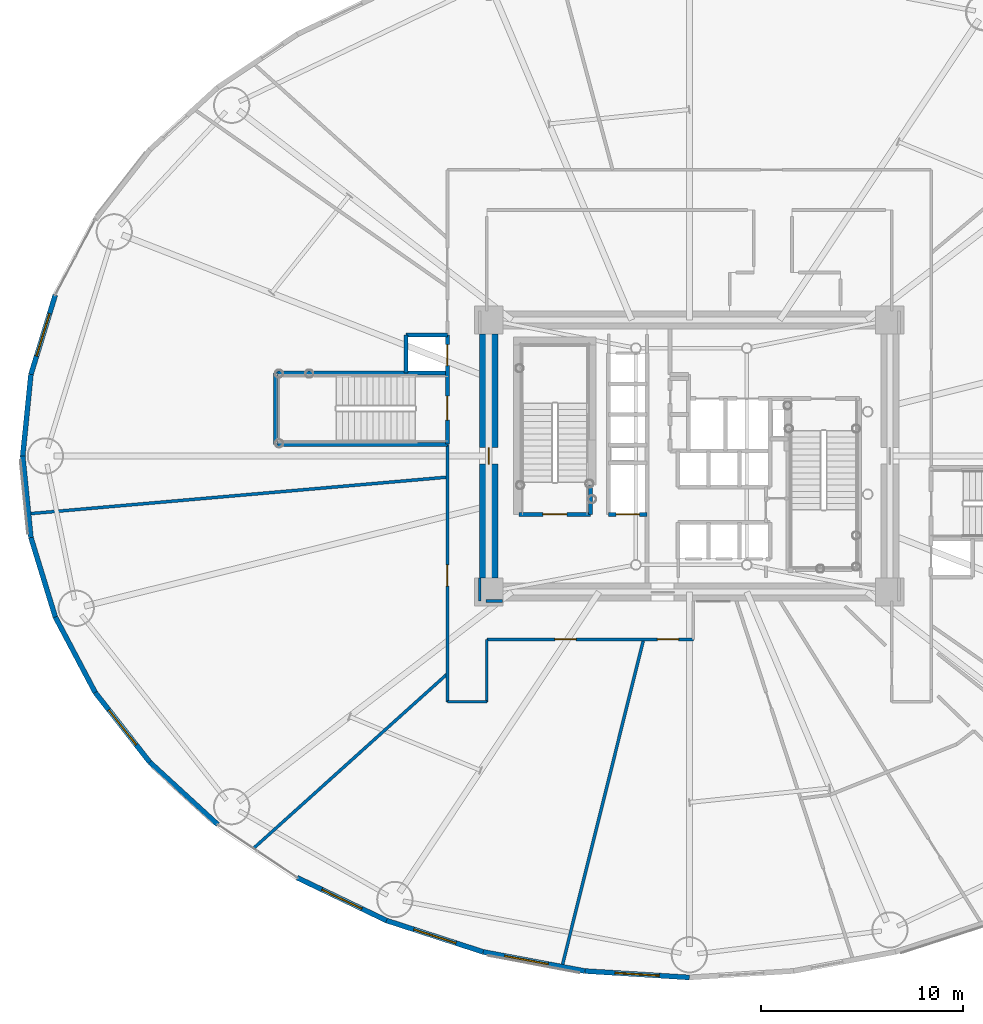
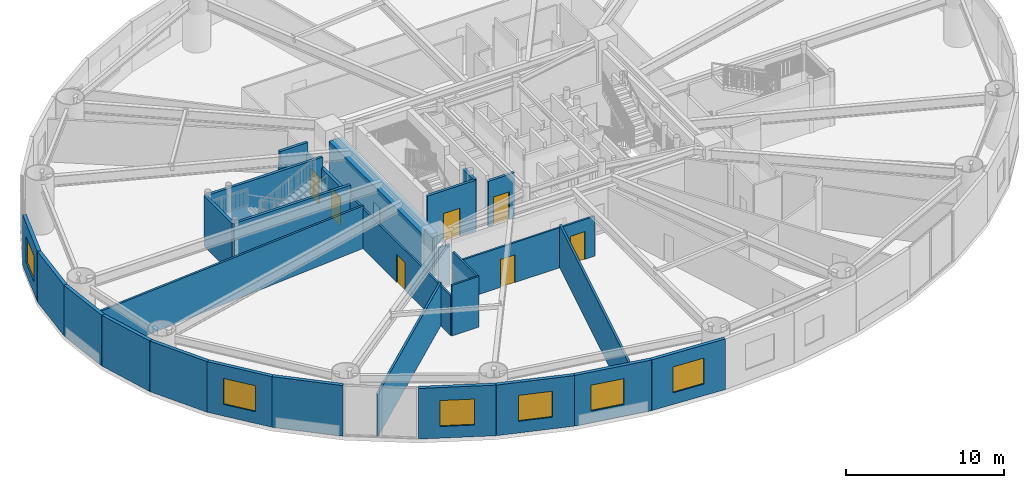
# One storey, part 15 of 30: 30 walls, 8 doors, 6 windows, 14 openings.
"""IFC4 building model written with IfcOpenShell, lengths in metres."""

from ifc_helpers import new_model, si_unit, direction, frame, frame_2d, origin, origin_2d, place, context, subcontext, project, spatial, rectangle, extrude, source, transform, mapped, material, layer, layer_set, type_object, element, fill, save


model = new_model("IFC4")

# Units and contexts
model_context = context("Model", 3, precision=1e-05, world=origin(), true_north=direction((0.0, 1.0)))
body_context = subcontext(model_context, "Body", "Model", "MODEL_VIEW")
ifc_project = project(units=[si_unit("LENGTHUNIT", "METRE"), si_unit("AREAUNIT", "SQUARE_METRE"), si_unit("VOLUMEUNIT", "CUBIC_METRE"), si_unit("PLANEANGLEUNIT", "RADIAN"), si_unit("MASSUNIT", "GRAM", prefix="KILO")], contexts=[model_context])

# Site, building, storey
site_placement = place(None, origin())
site = spatial("IfcSite", under=ifc_project, at=site_placement, CompositionType="ELEMENT")
building_placement = place(site_placement, origin())
building = spatial("IfcBuilding", under=site, at=building_placement, Name="Linh Dai School and Residence Tower", CompositionType="ELEMENT")
storey_placement = place(building_placement, frame((0.0, 0.0, 10.199951171875)))
storey = spatial("IfcBuildingStorey", under=building, at=storey_placement, Name="L02", CompositionType="ELEMENT", Elevation=10.199951171875)

# Wall, opening, window
ifc_material_1 = material(Name="Precast Concrete B45 (C35/45)", Category="concrete")
ifc_layer_1 = layer(ifc_material_1, 0.25)
ifc_layer_set_1 = layer_set([ifc_layer_1], Name="Precast Concrete B45 (C35/45)")
wall_type_1 = type_object("IfcWallType", Name="EW-TC-250", PredefinedType="SOLIDWALL", material=ifc_layer_set_1)
wall_1_placement = place(storey_placement, frame((3.331298828125, 31.04248046875, 0.0), z_axis=(0.0, 0.0, 1.0), x_axis=(0.293070945898, 0.956090696885, 0.0)))
wall_1 = element("IfcWall", 1, at=wall_1_placement, inside=storey, type_object=wall_type_1, Name="L02 Terracotta Exterior Wall 19", PredefinedType="SOLIDWALL", context=body_context, shape_type="SweptSolid", body=[
    extrude(rectangle(XDim=4.125244140625, YDim=0.25, at=frame_2d((2.0625, 0.0))), origin(), (0.0, 0.0, 1.0), 3.900146484375),
])
opening_1_placement = place(wall_1_placement, frame((0.962646484375, 0.0, 0.89990234375)))
opening_1 = element("IfcOpeningElement", 2, at=opening_1_placement, cuts=wall_1, Name="Opening W4", PredefinedType="OPENING", context=body_context, shape_type="SweptSolid", body=[
    extrude(rectangle(XDim=2.199951171875, YDim=2.0, at=origin_2d()), frame((1.10009765625, 0.135009765625, 1.0), z_axis=(0.0, -1.0, 0.0), x_axis=(1.0, 0.0, 0.0)), (0.0, 0.0, 1.0), 0.27001953125),
])
ifc_material_2 = material(Name="Acoustic Laminated Low-E Glazing", Category="glass")
window_type = type_object("IfcWindowType", Name="WN-SCH-2200x2000", PartitioningType="TRIPLE_PANEL_VERTICAL", PredefinedType="WINDOW", material=ifc_material_2)
shared_shape_1 = source(origin(), body_context, "Body", "SweptSolid", [
    extrude(rectangle(XDim=2.199951171875, YDim=2.0, at=origin_2d()), frame((1.10009765625, 0.030029296875, 1.0), z_axis=(0.0, -1.0, 0.0), x_axis=(1.0, 0.0, 0.0)), (0.0, 0.0, 1.0), 0.06005859375),
])
window_1_placement = place(opening_1_placement, origin())
window_1 = element("IfcWindow", 3, at=window_1_placement, inside=storey, type_object=window_type, Name="L02 Exterior Window 19.1", OverallHeight=2.0, OverallWidth=2.199951171875, PartitioningType="TRIPLE_PANEL_VERTICAL", PredefinedType="WINDOW", context=body_context, shape_type="MappedRepresentation", body=[
    mapped(shared_shape_1, transform((0.0, 0.0, 0.0), x_axis=(1.0, 0.0, 0.0), y_axis=(0.0, 1.0, 0.0), z_axis=(0.0, 0.0, 1.0), scale=1.0)),
])
fill(opening_1, window_1)

# Walls
for number, where, z_axis, x_axis, name in (
    (4, (2.925048828125, 27.0, 0.0), (0.0, 0.0, 1.0), (0.099991575324, 0.994988283782, 0.0), "L02 Terracotta Exterior Wall 20"),
    (5, (3.331298828125, 22.95751953125, 0.0), (0.0, 0.0, 1.0), (-0.099991575324, 0.994988283782, 0.0), "L02 Terracotta Exterior Wall 21"),
):
    element("IfcWall", number, at=place(storey_placement, frame(where, z_axis=z_axis, x_axis=x_axis)), inside=storey, type_object=wall_type_1, Name=name, PredefinedType="SOLIDWALL", context=body_context, shape_type="SweptSolid", body=[
        extrude(rectangle(XDim=4.062744140625, YDim=0.25, at=frame_2d((2.03125, 0.0))), origin(), (0.0, 0.0, 1.0), 3.900146484375),
    ])
wall_2_placement = place(storey_placement, frame((4.540283203125, 19.013427734375, 0.0), z_axis=(0.0, 0.0, 1.0), x_axis=(-0.293070945898, 0.956090696885, 0.0)))
element("IfcWall", 6, at=wall_2_placement, inside=storey, type_object=wall_type_1, Name="L02 Terracotta Exterior Wall 22", PredefinedType="SOLIDWALL", context=body_context, shape_type="SweptSolid", body=[
    extrude(rectangle(XDim=4.125244140625, YDim=0.25, at=frame_2d((2.0625, 0.0))), origin(), (0.0, 0.0, 1.0), 3.900146484375),
])
wall_3_placement = place(storey_placement, frame((6.5234375, 15.264404296875, 0.0), z_axis=(0.0, 0.0, 1.0), x_axis=(-0.467588829866, 0.883946087827, 0.0)))
element("IfcWall", 7, at=wall_3_placement, inside=storey, type_object=wall_type_1, Name="L02 Terracotta Exterior Wall 23", PredefinedType="SOLIDWALL", context=body_context, shape_type="SweptSolid", body=[
    extrude(rectangle(XDim=4.2412109375, YDim=0.25, at=frame_2d((2.12060546875, 0.0))), origin(), (0.0, 0.0, 1.0), 3.900146484375),
])

# Wall, opening, window
wall_4_placement = place(storey_placement, frame((9.232177734375, 11.802490234375, 0.0), z_axis=(0.0, 0.0, 1.0), x_axis=(-0.61622589112, 0.787569457961, 0.0)))
wall_4 = element("IfcWall", 8, at=wall_4_placement, inside=storey, type_object=wall_type_1, Name="L02 Terracotta Exterior Wall 24", PredefinedType="SOLIDWALL", context=body_context, shape_type="SweptSolid", body=[
    extrude(rectangle(XDim=4.395751953125, YDim=0.25, at=frame_2d((2.19775390625, 0.0))), origin(), (0.0, 0.0, 1.0), 3.900146484375),
])
opening_2_placement = place(wall_4_placement, frame((1.09765625, 0.0, 0.89990234375)))
opening_2 = element("IfcOpeningElement", 9, at=opening_2_placement, cuts=wall_4, Name="Opening W4", PredefinedType="OPENING", context=body_context, shape_type="SweptSolid", body=[
    extrude(rectangle(XDim=2.199951171875, YDim=2.0, at=origin_2d()), frame((1.10009765625, 0.135009765625, 1.0), z_axis=(0.0, -1.0, 0.0), x_axis=(1.0, 0.0, 0.0)), (0.0, 0.0, 1.0), 0.27001953125),
])
window_2_placement = place(opening_2_placement, origin())
window_2 = element("IfcWindow", 10, at=window_2_placement, inside=storey, type_object=window_type, Name="L02 Exterior Window 24.1", OverallHeight=2.0, OverallWidth=2.199951171875, PartitioningType="TRIPLE_PANEL_VERTICAL", PredefinedType="WINDOW", context=body_context, shape_type="MappedRepresentation", body=[
    mapped(shared_shape_1, transform((0.0, 0.0, 0.0), x_axis=(1.0, 0.0, 0.0), y_axis=(0.0, 1.0, 0.0), z_axis=(0.0, 0.0, 1.0), scale=1.0)),
])
fill(opening_2, window_2)

# Wall
wall_5_placement = place(storey_placement, frame((12.60107421875, 8.713623046875, 0.0), z_axis=(0.0, 0.0, 1.0), x_axis=(-0.737076532105, 0.675809282136, 0.0)))
element("IfcWall", 11, at=wall_5_placement, inside=storey, type_object=wall_type_1, Name="L02 Terracotta Exterior Wall 25", PredefinedType="SOLIDWALL", context=body_context, shape_type="SweptSolid", body=[
    extrude(rectangle(XDim=4.570556640625, YDim=0.25, at=frame_2d((2.28515625, 0.0))), origin(), (0.0, 0.0, 1.0), 3.900146484375),
])

# Wall, opening, window
wall_6_placement = place(storey_placement, frame((20.973876953125, 3.949951171875, 0.0), z_axis=(0.0, 0.0, 1.0), x_axis=(-0.901559523397, 0.432655088692, 0.0)))
wall_6 = element("IfcWall", 12, at=wall_6_placement, inside=storey, type_object=wall_type_1, Name="L02 Terracotta Exterior Wall 27", PredefinedType="SOLIDWALL", context=body_context, shape_type="SweptSolid", body=[
    extrude(rectangle(XDim=4.909912109375, YDim=0.25, at=frame_2d((2.455078125, 0.0))), origin(), (0.0, 0.0, 1.0), 3.900146484375),
])
opening_3_placement = place(wall_6_placement, frame((1.354736328125, 0.0, 0.89990234375)))
opening_3 = element("IfcOpeningElement", 13, at=opening_3_placement, cuts=wall_6, Name="Opening W4", PredefinedType="OPENING", context=body_context, shape_type="SweptSolid", body=[
    extrude(rectangle(XDim=2.199951171875, YDim=2.0, at=origin_2d()), frame((1.10009765625, 0.135009765625, 1.0), z_axis=(0.0, -1.0, 0.0), x_axis=(1.0, 0.0, 0.0)), (0.0, 0.0, 1.0), 0.27001953125),
])
window_3_placement = place(opening_3_placement, origin())
window_3 = element("IfcWindow", 14, at=window_3_placement, inside=storey, type_object=window_type, Name="L02 Exterior Window 27.1", OverallHeight=2.0, OverallWidth=2.199951171875, PartitioningType="TRIPLE_PANEL_VERTICAL", PredefinedType="WINDOW", context=body_context, shape_type="MappedRepresentation", body=[
    mapped(shared_shape_1, transform((0.0, 0.0, 0.0), x_axis=(1.0, 0.0, 0.0), y_axis=(0.0, 1.0, 0.0), z_axis=(0.0, 0.0, 1.0), scale=1.0)),
])
fill(opening_3, window_3)

wall_7_placement = place(storey_placement, frame((25.771484375, 2.3935546875, 0.0), z_axis=(0.0, 0.0, 1.0), x_axis=(-0.951198629726, 0.308579271513, 0.0)))
wall_7 = element("IfcWall", 15, at=wall_7_placement, inside=storey, type_object=wall_type_1, Name="L02 Terracotta Exterior Wall 28", PredefinedType="SOLIDWALL", context=body_context, shape_type="SweptSolid", body=[
    extrude(rectangle(XDim=5.043701171875, YDim=0.25, at=frame_2d((2.52197265625, 0.0))), origin(), (0.0, 0.0, 1.0), 3.900146484375),
])
opening_4_placement = place(wall_7_placement, frame((1.421630859375, 0.0, 0.89990234375)))
opening_4 = element("IfcOpeningElement", 16, at=opening_4_placement, cuts=wall_7, Name="Opening W4", PredefinedType="OPENING", context=body_context, shape_type="SweptSolid", body=[
    extrude(rectangle(XDim=2.199951171875, YDim=2.0, at=origin_2d()), frame((1.10009765625, 0.135009765625, 1.0), z_axis=(0.0, -1.0, 0.0), x_axis=(1.0, 0.0, 0.0)), (0.0, 0.0, 1.0), 0.27001953125),
])
window_4_placement = place(opening_4_placement, origin())
window_4 = element("IfcWindow", 17, at=window_4_placement, inside=storey, type_object=window_type, Name="L02 Exterior Window 28.1", OverallHeight=2.0, OverallWidth=2.199951171875, PartitioningType="TRIPLE_PANEL_VERTICAL", PredefinedType="WINDOW", context=body_context, shape_type="MappedRepresentation", body=[
    mapped(shared_shape_1, transform((0.0, 0.0, 0.0), x_axis=(1.0, 0.0, 0.0), y_axis=(0.0, 1.0, 0.0), z_axis=(0.0, 0.0, 1.0), scale=1.0)),
])
fill(opening_4, window_4)

wall_8_placement = place(storey_placement, frame((30.82177734375, 1.444091796875, 0.0), z_axis=(0.0, 0.0, 1.0), x_axis=(-0.98278278947, 0.184764684726, 0.0)))
wall_8 = element("IfcWall", 18, at=wall_8_placement, inside=storey, type_object=wall_type_1, Name="L02 Terracotta Exterior Wall 29", PredefinedType="SOLIDWALL", context=body_context, shape_type="SweptSolid", body=[
    extrude(rectangle(XDim=5.138671875, YDim=0.25, at=frame_2d((2.5693359375, 0.0))), origin(), (0.0, 0.0, 1.0), 3.900146484375),
])
opening_5_placement = place(wall_8_placement, frame((1.851806640625, 0.0, 0.89990234375)))
opening_5 = element("IfcOpeningElement", 19, at=opening_5_placement, cuts=wall_8, Name="Opening W4", PredefinedType="OPENING", context=body_context, shape_type="SweptSolid", body=[
    extrude(rectangle(XDim=2.199951171875, YDim=2.0, at=origin_2d()), frame((1.10009765625, 0.135009765625, 1.0), z_axis=(0.0, -1.0, 0.0), x_axis=(1.0, 0.0, 0.0)), (0.0, 0.0, 1.0), 0.27001953125),
])
window_5_placement = place(opening_5_placement, origin())
window_5 = element("IfcWindow", 20, at=window_5_placement, inside=storey, type_object=window_type, Name="L02 Exterior Window 29.1", OverallHeight=2.0, OverallWidth=2.199951171875, PartitioningType="TRIPLE_PANEL_VERTICAL", PredefinedType="WINDOW", context=body_context, shape_type="MappedRepresentation", body=[
    mapped(shared_shape_1, transform((0.0, 0.0, 0.0), x_axis=(1.0, 0.0, 0.0), y_axis=(0.0, 1.0, 0.0), z_axis=(0.0, 0.0, 1.0), scale=1.0)),
])
fill(opening_5, window_5)

wall_9_placement = place(storey_placement, frame((36.0, 1.125, 0.0), z_axis=(0.0, 0.0, 1.0), x_axis=(-0.998106762298, 0.061505211614, 0.0)))
wall_9 = element("IfcWall", 21, at=wall_9_placement, inside=storey, type_object=wall_type_1, Name="L02 Terracotta Exterior Wall 30", PredefinedType="SOLIDWALL", context=body_context, shape_type="SweptSolid", body=[
    extrude(rectangle(XDim=5.18798828125, YDim=0.25, at=frame_2d((2.593994140625, 0.0))), origin(), (0.0, 0.0, 1.0), 3.900146484375),
])
opening_6_placement = place(wall_9_placement, frame((1.493896484375, 0.0, 0.89990234375)))
opening_6 = element("IfcOpeningElement", 22, at=opening_6_placement, cuts=wall_9, Name="Opening W4", PredefinedType="OPENING", context=body_context, shape_type="SweptSolid", body=[
    extrude(rectangle(XDim=2.199951171875, YDim=2.0, at=origin_2d()), frame((1.10009765625, 0.135009765625, 1.0), z_axis=(0.0, -1.0, 0.0), x_axis=(1.0, 0.0, 0.0)), (0.0, 0.0, 1.0), 0.27001953125),
])
window_6_placement = place(opening_6_placement, origin())
window_6 = element("IfcWindow", 23, at=window_6_placement, inside=storey, type_object=window_type, Name="L02 Exterior Window 30.1", OverallHeight=2.0, OverallWidth=2.199951171875, PartitioningType="TRIPLE_PANEL_VERTICAL", PredefinedType="WINDOW", context=body_context, shape_type="MappedRepresentation", body=[
    mapped(shared_shape_1, transform((0.0, 0.0, 0.0), x_axis=(1.0, 0.0, 0.0), y_axis=(0.0, 1.0, 0.0), z_axis=(0.0, 0.0, 1.0), scale=1.0)),
])
fill(opening_6, window_6)

# Wall, opening, door
ifc_material_3 = material(Name="Autoclaved Aerated Concrete Blockwork", Category="masonry")
ifc_layer_2 = layer(ifc_material_3, 0.135009765625)
ifc_layer_set_2 = layer_set([ifc_layer_2], Name="Autoclaved Aerated Concrete Blockwork")
wall_type_2 = type_object("IfcWallType", Name="IW-CORR-135-EI90", PredefinedType="PARTITIONING", material=ifc_layer_set_2)
wall_10_placement = place(storey_placement, frame((24.0, 14.800048828125, 0.0), z_axis=(0.0, 0.0, 1.0), x_axis=(0.0, 1.0, 0.0)))
wall_10 = element("IfcWall", 24, at=wall_10_placement, inside=storey, type_object=wall_type_2, Name="L02 Interior Partition Wall 010", PredefinedType="PARTITIONING", context=body_context, shape_type="SweptSolid", body=[
    extrude(rectangle(XDim=12.780029296875, YDim=0.135009765625, at=frame_2d((6.39013671875, 0.0))), origin(), (0.0, 0.0, 1.0), 3.0849609375),
])
opening_7_placement = place(wall_10_placement, frame((5.74755859375, 0.0, 0.0)))
opening_7 = element("IfcOpeningElement", 25, at=opening_7_placement, cuts=wall_10, Name="Opening D04", PredefinedType="OPENING", context=body_context, shape_type="SweptSolid", body=[
    extrude(rectangle(XDim=1.050048828125, YDim=2.14990234375, at=origin_2d()), frame((0.52490234375, 0.07763671875, 1.074951171875), z_axis=(0.0, -1.0, 0.0), x_axis=(1.0, 0.0, 0.0)), (0.0, 0.0, 1.0), 0.155029296875),
])
ifc_material_4 = material(Name="Acoustic Vision-Panel Timber Classroom Door", Category="wood")
door_type_1 = type_object("IfcDoorType", Name="DR-SCH-1050x2150-FD60S", OperationType="NOTDEFINED", PredefinedType="DOOR", material=ifc_material_4)
shared_shape_2 = source(origin(), body_context, "Body", "SweptSolid", [
    extrude(rectangle(XDim=1.050048828125, YDim=2.14990234375, at=origin_2d()), frame((0.52490234375, 0.02490234375, 1.074951171875), z_axis=(0.0, -1.0, 0.0), x_axis=(1.0, 0.0, 0.0)), (0.0, 0.0, 1.0), 0.050048828125),
])
door_1_placement = place(opening_7_placement, origin())
door_1 = element("IfcDoor", 26, at=door_1_placement, inside=storey, type_object=door_type_1, Name="L02 Junior Classroom 2 Door", OperationType="SINGLE_SWING_LEFT", OverallHeight=2.14990234375, OverallWidth=1.050048828125, PredefinedType="DOOR", context=body_context, shape_type="MappedRepresentation", body=[
    mapped(shared_shape_2, transform((0.0, 0.0, 0.0), x_axis=(1.0, 0.0, 0.0), y_axis=(0.0, 1.0, 0.0), z_axis=(0.0, 0.0, 1.0), scale=1.0)),
])
fill(opening_7, door_1)

# Walls
wall_11_placement = place(storey_placement, frame((24.0, 14.800048828125, 0.0), z_axis=(0.0, 0.0, 1.0), x_axis=(1.0, 0.0, 0.0)))
element("IfcWall", 27, at=wall_11_placement, inside=storey, type_object=wall_type_2, Name="L02 Interior Partition Wall 011", PredefinedType="PARTITIONING", context=body_context, shape_type="SweptSolid", body=[
    extrude(rectangle(XDim=1.949951171875, YDim=0.135009765625, at=frame_2d((0.97509765625, 0.0))), origin(), (0.0, 0.0, 1.0), 3.900146484375),
])
wall_12_placement = place(storey_placement, frame((25.949951171875, 14.800048828125, 0.0), z_axis=(0.0, 0.0, 1.0), x_axis=(0.0, 1.0, 0.0)))
element("IfcWall", 28, at=wall_12_placement, inside=storey, type_object=wall_type_2, Name="L02 Interior Partition Wall 015", PredefinedType="PARTITIONING", context=body_context, shape_type="SweptSolid", body=[
    extrude(rectangle(XDim=3.099853515625, YDim=0.135009765625, at=frame_2d((1.5498046875, 0.0))), origin(), (0.0, 0.0, 1.0), 3.900146484375),
])

# Wall, openings, doors
wall_13_placement = place(storey_placement, frame((25.949951171875, 17.89990234375, 0.0), z_axis=(0.0, 0.0, 1.0), x_axis=(1.0, 0.0, 0.0)))
wall_13 = element("IfcWall", 29, at=wall_13_placement, inside=storey, type_object=wall_type_2, Name="L02 Interior Partition Wall 016", PredefinedType="PARTITIONING", context=body_context, shape_type="SweptSolid", body=[
    extrude(rectangle(XDim=10.25, YDim=0.135009765625, at=frame_2d((5.125, 0.0))), origin(), (0.0, 0.0, 1.0), 3.0849609375),
])
opening_8_placement = place(wall_13_placement, frame((3.385498046875, 0.0, 0.0)))
opening_8 = element("IfcOpeningElement", 30, at=opening_8_placement, cuts=wall_13, Name="Opening D04", PredefinedType="OPENING", context=body_context, shape_type="SweptSolid", body=[
    extrude(rectangle(XDim=1.050048828125, YDim=2.14990234375, at=origin_2d()), frame((0.52490234375, 0.07763671875, 1.074951171875), z_axis=(0.0, -1.0, 0.0), x_axis=(1.0, 0.0, 0.0)), (0.0, 0.0, 1.0), 0.155029296875),
])
opening_9_placement = place(wall_13_placement, frame((8.470703125, 0.0, 0.0)))
opening_9 = element("IfcOpeningElement", 31, at=opening_9_placement, cuts=wall_13, Name="Opening D04", PredefinedType="OPENING", context=body_context, shape_type="SweptSolid", body=[
    extrude(rectangle(XDim=1.050048828125, YDim=2.14990234375, at=origin_2d()), frame((0.52490234375, 0.07763671875, 1.074951171875), z_axis=(0.0, -1.0, 0.0), x_axis=(1.0, 0.0, 0.0)), (0.0, 0.0, 1.0), 0.155029296875),
])
door_2_placement = place(opening_8_placement, origin())
door_2 = element("IfcDoor", 32, at=door_2_placement, inside=storey, type_object=door_type_1, Name="L02 Junior Classroom 3 Door", OperationType="SINGLE_SWING_RIGHT", OverallHeight=2.14990234375, OverallWidth=1.050048828125, PredefinedType="DOOR", context=body_context, shape_type="MappedRepresentation", body=[
    mapped(shared_shape_2, transform((0.0, 0.0, 0.0), x_axis=(1.0, 0.0, 0.0), y_axis=(0.0, 1.0, 0.0), z_axis=(0.0, 0.0, 1.0), scale=1.0)),
])
fill(opening_8, door_2)
door_3_placement = place(opening_9_placement, origin())
door_3 = element("IfcDoor", 33, at=door_3_placement, inside=storey, type_object=door_type_1, Name="L02 Junior Classroom 4 Door", OperationType="SINGLE_SWING_LEFT", OverallHeight=2.14990234375, OverallWidth=1.050048828125, PredefinedType="DOOR", context=body_context, shape_type="MappedRepresentation", body=[
    mapped(shared_shape_2, transform((0.0, 0.0, 0.0), x_axis=(1.0, 0.0, 0.0), y_axis=(0.0, 1.0, 0.0), z_axis=(0.0, 0.0, 1.0), scale=1.0)),
])
fill(opening_9, door_3)

# Walls
wall_14_placement = place(storey_placement, frame((25.60009765625, 20.93994140625, 0.0), z_axis=(0.0, 0.0, 1.0), x_axis=(0.0, -1.0, 0.0)))
element("IfcWall", 34, at=wall_14_placement, inside=storey, type_object=wall_type_2, Name="L02 Interior Partition Wall 098", PredefinedType="PARTITIONING", context=body_context, shape_type="SweptSolid", body=[
    extrude(rectangle(XDim=1.139892578125, YDim=0.135009765625, at=frame_2d((0.56982421875, 0.0))), origin(), (0.0, 0.0, 1.0), 3.900146484375),
])
wall_15_placement = place(storey_placement, frame((25.907470703125, 19.800048828125, 0.0), z_axis=(0.0, 0.0, 1.0), x_axis=(1.0, 0.0, 0.0)))
element("IfcWall", 35, at=wall_15_placement, inside=storey, type_object=wall_type_2, Name="L02 Interior Partition Wall 099", PredefinedType="PARTITIONING", context=body_context, shape_type="SweptSolid", body=[
    extrude(rectangle(XDim=0.83251953125, YDim=0.135009765625, at=frame_2d((0.416259765625, 0.0))), origin(), (0.0, 0.0, 1.0), 3.0849609375),
])
ifc_layer_3 = layer(ifc_material_3, 0.14990234375)
ifc_layer_set_3 = layer_set([ifc_layer_3], Name="Autoclaved Aerated Concrete Blockwork")
wall_type_3 = type_object("IfcWallType", Name="IW-SCH-150-EI60", PredefinedType="PARTITIONING", material=ifc_layer_set_3)
wall_16_placement = place(storey_placement, frame((3.208251953125, 24.131103515625, 0.0), z_axis=(0.0, 0.0, 1.0), x_axis=(0.99619449197, 0.087158098701, 0.0)))
element("IfcWall", 36, at=wall_16_placement, inside=storey, type_object=wall_type_3, Name="L02 Interior Partition Wall 001", PredefinedType="PARTITIONING", context=body_context, shape_type="SweptSolid", body=[
    extrude(rectangle(XDim=20.87109375, YDim=0.14990234375, at=frame_2d((10.435546875, 0.0))), origin(), (0.0, 0.0, 1.0), 3.28515625),
])
wall_17_placement = place(storey_placement, frame((14.3701171875, 7.5244140625, 0.0), z_axis=(0.0, 0.0, 1.0), x_axis=(0.743149857609, 0.669125017569, 0.0)))
element("IfcWall", 37, at=wall_17_placement, inside=storey, type_object=wall_type_3, Name="L02 Interior Partition Wall 003", PredefinedType="PARTITIONING", context=body_context, shape_type="SweptSolid", body=[
    extrude(rectangle(XDim=12.958251953125, YDim=0.14990234375, at=frame_2d((6.47900390625, 0.0))), origin(), (0.0, 0.0, 1.0), 3.28515625),
])
wall_18_placement = place(storey_placement, frame((29.680419921875, 1.653564453125, 0.0), z_axis=(0.0, 0.0, 1.0), x_axis=(0.241928320832, 0.970294124263, 0.0)))
element("IfcWall", 38, at=wall_18_placement, inside=storey, type_object=wall_type_3, Name="L02 Interior Partition Wall 019", PredefinedType="PARTITIONING", context=body_context, shape_type="SweptSolid", body=[
    extrude(rectangle(XDim=16.74365234375, YDim=0.14990234375, at=frame_2d((8.371826171875, 0.0))), origin(), (0.0, 0.0, 1.0), 3.28515625),
])
ifc_material_5 = material(Name="Concrete B45 (C35/45)", Category="concrete")
ifc_layer_4 = layer(ifc_material_5, 0.199951171875)
ifc_layer_set_4 = layer_set([ifc_layer_4], Name="Concrete B45 (C35/45)")
wall_type_4 = type_object("IfcWallType", Name="IW-SHAFT-200-EI120", PredefinedType="PARTITIONING", material=ifc_layer_set_4)
wall_19_placement = place(storey_placement, frame((15.47998046875, 27.580078125, 0.0), z_axis=(0.0, 0.0, 1.0), x_axis=(0.0, 1.0, 0.0)))
element("IfcWall", 39, at=wall_19_placement, inside=storey, type_object=wall_type_4, Name="L02 Interior Partition Wall 005", PredefinedType="PARTITIONING", context=body_context, shape_type="SweptSolid", body=[
    extrude(rectangle(XDim=3.5400390625, YDim=0.199951171875, at=frame_2d((1.77001953125, 0.0))), origin(), (0.0, 0.0, 1.0), 3.900146484375),
])
for number, where, z_axis, x_axis, name in (
    (40, (15.47998046875, 27.580078125, 0.0), (0.0, 0.0, 1.0), (1.0, 0.0, 0.0), "L02 Interior Partition Wall 006"),
    (41, (15.47998046875, 31.1201171875, 0.0), (0.0, 0.0, 1.0), (1.0, 0.0, 0.0), "L02 Interior Partition Wall 007"),
):
    element("IfcWall", number, at=place(storey_placement, frame(where, z_axis=z_axis, x_axis=x_axis)), inside=storey, type_object=wall_type_4, Name=name, PredefinedType="PARTITIONING", context=body_context, shape_type="SweptSolid", body=[
        extrude(rectangle(XDim=8.52001953125, YDim=0.199951171875, at=frame_2d((4.260009765625, 0.0))), origin(), (0.0, 0.0, 1.0), 3.900146484375),
    ])
wall_20_placement = place(storey_placement, frame((21.949951171875, 31.1201171875, 0.0), z_axis=(0.0, 0.0, 1.0), x_axis=(0.0, 1.0, 0.0)))
element("IfcWall", 42, at=wall_20_placement, inside=storey, type_object=wall_type_4, Name="L02 Interior Partition Wall 008", PredefinedType="PARTITIONING", context=body_context, shape_type="SweptSolid", body=[
    extrude(rectangle(XDim=1.8798828125, YDim=0.199951171875, at=frame_2d((0.93994140625, 0.0))), origin(), (0.0, 0.0, 1.0), 3.0849609375),
])
wall_21_placement = place(storey_placement, frame((21.949951171875, 33.0, 0.0), z_axis=(0.0, 0.0, 1.0), x_axis=(1.0, 0.0, 0.0)))
element("IfcWall", 43, at=wall_21_placement, inside=storey, type_object=wall_type_4, Name="L02 Interior Partition Wall 009", PredefinedType="PARTITIONING", context=body_context, shape_type="SweptSolid", body=[
    extrude(rectangle(XDim=2.050048828125, YDim=0.199951171875, at=frame_2d((1.02490234375, 0.0))), origin(), (0.0, 0.0, 1.0), 3.900146484375),
])

# Wall, openings, doors
wall_22_placement = place(storey_placement, frame((24.0, 27.590087890625, 0.0), z_axis=(0.0, 0.0, 1.0), x_axis=(0.0, 1.0, 0.0)))
wall_22 = element("IfcWall", 44, at=wall_22_placement, inside=storey, type_object=wall_type_4, Name="L02 Interior Partition Wall 012", PredefinedType="PARTITIONING", context=body_context, shape_type="SweptSolid", body=[
    extrude(rectangle(XDim=5.409912109375, YDim=0.199951171875, at=frame_2d((2.705078125, 0.0))), origin(), (0.0, 0.0, 1.0), 3.0849609375),
])
opening_10_placement = place(wall_22_placement, frame((1.18505859375, 0.0, 0.0)))
opening_10 = element("IfcOpeningElement", 45, at=opening_10_placement, cuts=wall_22, Name="Opening D01", PredefinedType="OPENING", context=body_context, shape_type="SweptSolid", body=[
    extrude(rectangle(XDim=1.199951171875, YDim=2.14990234375, at=origin_2d()), frame((0.60009765625, 0.10986328125, 1.074951171875), z_axis=(0.0, -1.0, 0.0), x_axis=(1.0, 0.0, 0.0)), (0.0, 0.0, 1.0), 0.219970703125),
])
opening_11_placement = place(wall_22_placement, frame((3.889892578125, 0.0, 0.0)))
opening_11 = element("IfcOpeningElement", 46, at=opening_11_placement, cuts=wall_22, Name="Opening LD-SL1", PredefinedType="OPENING", context=body_context, shape_type="SweptSolid", body=[
    extrude(rectangle(XDim=1.050048828125, YDim=2.14990234375, at=origin_2d()), frame((0.52490234375, 0.10986328125, 1.074951171875), z_axis=(0.0, -1.0, 0.0), x_axis=(1.0, 0.0, 0.0)), (0.0, 0.0, 1.0), 0.219970703125),
])
ifc_material_6 = material(Name="Fire-Rated Steel Door Leaf", Category="steel")
door_type_2 = type_object("IfcDoorType", Name="DR-STAIR-1200x2150-FD90S", OperationType="NOTDEFINED", PredefinedType="DOOR", material=ifc_material_6)
shared_shape_3 = source(origin(), body_context, "Body", "SweptSolid", [
    extrude(rectangle(XDim=1.199951171875, YDim=2.14990234375, at=origin_2d()), frame((0.60009765625, 0.02490234375, 1.074951171875), z_axis=(0.0, -1.0, 0.0), x_axis=(1.0, 0.0, 0.0)), (0.0, 0.0, 1.0), 0.050048828125),
])
door_4_placement = place(opening_10_placement, origin())
door_4 = element("IfcDoor", 47, at=door_4_placement, inside=storey, type_object=door_type_2, Name="L02 Exit Stair STS1 Door", OperationType="SINGLE_SWING_RIGHT", OverallHeight=2.14990234375, OverallWidth=1.199951171875, PredefinedType="DOOR", context=body_context, shape_type="MappedRepresentation", body=[
    mapped(shared_shape_3, transform((0.0, 0.0, 0.0), x_axis=(1.0, 0.0, 0.0), y_axis=(0.0, 1.0, 0.0), z_axis=(0.0, 0.0, 1.0), scale=1.0)),
])
fill(opening_10, door_4)
ifc_material_7 = material(Name="Brushed Stainless Steel Lift Landing Door", Category="steel")
door_type_3 = type_object("IfcDoorType", Name="DR-LD-PASS-1050x2150", OperationType="DOUBLE_DOOR_SLIDING", PredefinedType="USERDEFINED", material=ifc_material_7)
shared_shape_4 = source(origin(), body_context, "Body", "SweptSolid", [
    extrude(rectangle(XDim=1.050048828125, YDim=2.14990234375, at=origin_2d()), frame((0.52490234375, 0.02490234375, 1.074951171875), z_axis=(0.0, -1.0, 0.0), x_axis=(1.0, 0.0, 0.0)), (0.0, 0.0, 1.0), 0.050048828125),
])
door_5_placement = place(opening_11_placement, origin())
door_5 = element("IfcDoor", 48, at=door_5_placement, inside=storey, type_object=door_type_3, Name="L02 Lift SL1 Sliding Landing Door", ObjectType="LANDING DOOR", OperationType="DOUBLE_DOOR_SLIDING", OverallHeight=2.14990234375, OverallWidth=1.050048828125, PredefinedType="USERDEFINED", context=body_context, shape_type="MappedRepresentation", body=[
    mapped(shared_shape_4, transform((0.0, 0.0, 0.0), x_axis=(1.0, 0.0, 0.0), y_axis=(0.0, 1.0, 0.0), z_axis=(0.0, 0.0, 1.0), scale=1.0)),
])
fill(opening_11, door_5)

# Wall, opening, door
wall_23_placement = place(storey_placement, frame((27.56005859375, 24.10009765625, 0.0), z_axis=(0.0, 0.0, 1.0), x_axis=(1.0, 0.0, 0.0)))
wall_23 = element("IfcWall", 49, at=wall_23_placement, inside=storey, type_object=wall_type_4, Name="L02 Interior Partition Wall 017", PredefinedType="PARTITIONING", context=body_context, shape_type="SweptSolid", body=[
    extrude(rectangle(XDim=3.5400390625, YDim=0.199951171875, at=frame_2d((1.77001953125, 0.0))), origin(), (0.0, 0.0, 1.0), 3.900146484375),
])
opening_12_placement = place(wall_23_placement, frame((1.169921875, 0.0, 0.0)))
opening_12 = element("IfcOpeningElement", 50, at=opening_12_placement, cuts=wall_23, Name="Opening D01", PredefinedType="OPENING", context=body_context, shape_type="SweptSolid", body=[
    extrude(rectangle(XDim=1.199951171875, YDim=2.14990234375, at=origin_2d()), frame((0.60009765625, 0.10986328125, 1.074951171875), z_axis=(0.0, -1.0, 0.0), x_axis=(1.0, 0.0, 0.0)), (0.0, 0.0, 1.0), 0.219970703125),
])
door_6_placement = place(opening_12_placement, origin())
door_6 = element("IfcDoor", 51, at=door_6_placement, inside=storey, type_object=door_type_2, Name="L02 Core Smokeproof Exit Stair ST1 Door", OperationType="SINGLE_SWING_RIGHT", OverallHeight=2.14990234375, OverallWidth=1.199951171875, PredefinedType="DOOR", context=body_context, shape_type="MappedRepresentation", body=[
    mapped(shared_shape_3, transform((0.0, 0.0, 0.0), x_axis=(1.0, 0.0, 0.0), y_axis=(0.0, 1.0, 0.0), z_axis=(0.0, 0.0, 1.0), scale=1.0)),
])
fill(opening_12, door_6)

# Wall
wall_24_placement = place(storey_placement, frame((31.10009765625, 24.10009765625, 0.0), z_axis=(0.0, 0.0, 1.0), x_axis=(0.0, 1.0, 0.0)))
element("IfcWall", 52, at=wall_24_placement, inside=storey, type_object=wall_type_4, Name="L02 Interior Partition Wall 020", PredefinedType="PARTITIONING", context=body_context, shape_type="SweptSolid", body=[
    extrude(rectangle(XDim=1.43994140625, YDim=0.199951171875, at=frame_2d((0.719970703125, 0.0))), origin(), (0.0, 0.0, 1.0), 3.900146484375),
])

# Wall, opening, door
wall_25_placement = place(storey_placement, frame((32.0, 24.10009765625, 0.0), z_axis=(0.0, 0.0, 1.0), x_axis=(1.0, 0.0, 0.0)))
wall_25 = element("IfcWall", 53, at=wall_25_placement, inside=storey, type_object=wall_type_4, Name="L02 Interior Partition Wall 022", PredefinedType="PARTITIONING", context=body_context, shape_type="SweptSolid", body=[
    extrude(rectangle(XDim=1.89990234375, YDim=0.199951171875, at=frame_2d((0.949951171875, 0.0))), origin(), (0.0, 0.0, 1.0), 3.485107421875),
])
opening_13_placement = place(wall_25_placement, frame((0.375, 0.0, 0.0)))
opening_13 = element("IfcOpeningElement", 54, at=opening_13_placement, cuts=wall_25, Name="Opening LD-FF2", PredefinedType="OPENING", context=body_context, shape_type="SweptSolid", body=[
    extrude(rectangle(XDim=1.14990234375, YDim=2.14990234375, at=origin_2d()), frame((0.574951171875, 0.10986328125, 1.074951171875), z_axis=(0.0, -1.0, 0.0), x_axis=(1.0, 0.0, 0.0)), (0.0, 0.0, 1.0), 0.219970703125),
])
ifc_material_8 = material(Name="Fire-Rated Stainless Steel Firefighting Lift Door", Category="steel")
door_type_4 = type_object("IfcDoorType", Name="DR-LD-FF-1150x2150-FD120", OperationType="DOUBLE_DOOR_SLIDING", PredefinedType="USERDEFINED", material=ifc_material_8)
shared_shape_5 = source(origin(), body_context, "Body", "SweptSolid", [
    extrude(rectangle(XDim=1.14990234375, YDim=2.14990234375, at=origin_2d()), frame((0.574951171875, 0.02490234375, 1.074951171875), z_axis=(0.0, -1.0, 0.0), x_axis=(1.0, 0.0, 0.0)), (0.0, 0.0, 1.0), 0.050048828125),
])
door_7_placement = place(opening_13_placement, origin())
door_7 = element("IfcDoor", 55, at=door_7_placement, inside=storey, type_object=door_type_4, Name="L02 Lift FF2 Sliding Landing Door", ObjectType="LANDING DOOR", OperationType="DOUBLE_DOOR_SLIDING", OverallHeight=2.14990234375, OverallWidth=1.14990234375, PredefinedType="USERDEFINED", context=body_context, shape_type="MappedRepresentation", body=[
    mapped(shared_shape_5, transform((0.0, 0.0, 0.0), x_axis=(1.0, 0.0, 0.0), y_axis=(0.0, 1.0, 0.0), z_axis=(0.0, 0.0, 1.0), scale=1.0)),
])
fill(opening_13, door_7)

ifc_material_9 = material(Name="Concrete B60 (C50/60)", Category="concrete")
ifc_layer_5 = layer(ifc_material_9, 0.89990234375)
ifc_layer_set_5 = layer_set([ifc_layer_5], Name="Concrete B60 (C50/60)")
wall_type_5 = type_object("IfcWallType", Name="WL-CORE900", PredefinedType="SHEAR", material=ifc_layer_set_5)
wall_26_placement = place(storey_placement, frame((26.050048828125, 20.949951171875, 0.0), z_axis=(0.0, 0.0, 1.0), x_axis=(0.0, 1.0, 0.0)))
wall_26 = element("IfcWall", 56, at=wall_26_placement, inside=storey, type_object=wall_type_5, Name="L02 Central Core Shear Wall W", PredefinedType="SHEAR", context=body_context, shape_type="SweptSolid", body=[
    extrude(rectangle(XDim=12.10009765625, YDim=0.89990234375, at=frame_2d((6.050048828125, 0.0))), origin(), (0.0, 0.0, 1.0), 3.35009765625),
])
opening_14_placement = place(wall_26_placement, frame((5.639892578125, 0.0, 0.0)))
opening_14 = element("IfcOpeningElement", 57, at=opening_14_placement, cuts=wall_26, Name="Opening D06", PredefinedType="OPENING", context=body_context, shape_type="SweptSolid", body=[
    extrude(rectangle(XDim=0.820068359375, YDim=2.10009765625, at=origin_2d()), frame((0.41015625, 0.4599609375, 1.050048828125), z_axis=(0.0, -1.0, 0.0), x_axis=(1.0, 0.0, 0.0)), (0.0, 0.0, 1.0), 0.919921875),
])
ifc_material_10 = material(Name="Moisture-Resistant Timber Bathroom Door", Category="wood")
door_type_5 = type_object("IfcDoorType", Name="DR-WET-820x2100", OperationType="NOTDEFINED", PredefinedType="DOOR", material=ifc_material_10)
shared_shape_6 = source(origin(), body_context, "Body", "SweptSolid", [
    extrude(rectangle(XDim=0.820068359375, YDim=2.10009765625, at=origin_2d()), frame((0.41015625, 0.02490234375, 1.050048828125), z_axis=(0.0, -1.0, 0.0), x_axis=(1.0, 0.0, 0.0)), (0.0, 0.0, 1.0), 0.050048828125),
])
door_8_placement = place(opening_14_placement, origin())
door_8 = element("IfcDoor", 58, at=door_8_placement, inside=storey, type_object=door_type_5, Name="L02 Firefighting Lobby Door", OperationType="SINGLE_SWING_LEFT", OverallHeight=2.10009765625, OverallWidth=0.820068359375, PredefinedType="DOOR", context=body_context, shape_type="MappedRepresentation", body=[
    mapped(shared_shape_6, transform((0.0, 0.0, 0.0), x_axis=(1.0, 0.0, 0.0), y_axis=(0.0, 1.0, 0.0), z_axis=(0.0, 0.0, 1.0), scale=1.0)),
])
fill(opening_14, door_8)

save(model, "model.ifc")
